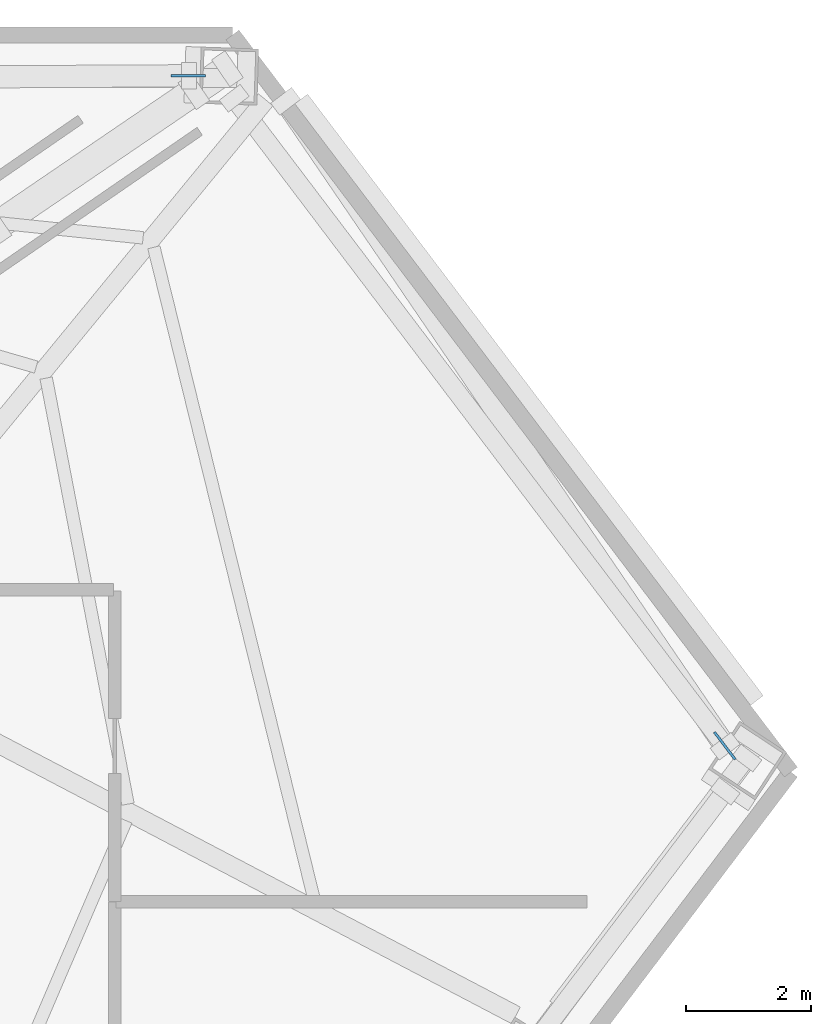
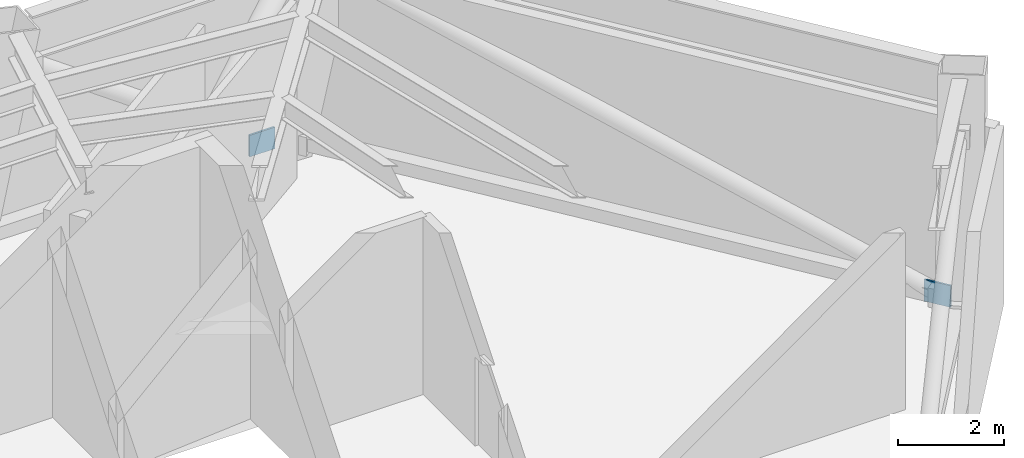
# One storey, part 4 of 9: 2 plates.
"""IFC4 building model written with IfcOpenShell, lengths in metres."""

from ifc_helpers import new_model, si_unit, direction, frame, origin, origin_2d, place, context, subcontext, project, spatial, rectangle, extrude, material, layer, layer_set, type_object, element, save


model = new_model("IFC4")

# Units and contexts
model_context = context("Model", 3, precision=1e-05, world=origin(), true_north=direction((0.0, 1.0)))
body_context = subcontext(model_context, "Body", "Model", "MODEL_VIEW")
ifc_project = project(units=[si_unit("LENGTHUNIT", "METRE"), si_unit("AREAUNIT", "SQUARE_METRE"), si_unit("VOLUMEUNIT", "CUBIC_METRE"), si_unit("PLANEANGLEUNIT", "RADIAN"), si_unit("MASSUNIT", "GRAM", prefix="KILO")], contexts=[model_context])

# Site, building, storey
site_placement = place(None, origin())
site = spatial("IfcSite", under=ifc_project, at=site_placement, CompositionType="ELEMENT")
building_placement = place(site_placement, origin())
building = spatial("IfcBuilding", under=site, at=building_placement, Name="Zarrinselat Tower", CompositionType="ELEMENT")
storey_placement = place(building_placement, frame((0.0, 0.0, 109.139892578125)))
storey = spatial("IfcBuildingStorey", under=building, at=storey_placement, Name="L26", CompositionType="ELEMENT", Elevation=109.139892578125)

# Plates
ifc_material = material(Name="Steel S460M", Category="steel")
ifc_layer = layer(ifc_material, 0.0400390625)
ifc_layer_set = layer_set([ifc_layer], Name="Steel S460M")
plate_type = type_object("IfcPlateType", Name="PLT-GUSSET-40", PredefinedType="USERDEFINED", material=ifc_layer_set)
for number, where, z_axis, x_axis, name in (
    (1, (52.578125, 48.730712890625, 0.10009765625), (0.0, 0.0, 1.0), (-1.0, 0.0, 0.0), "L26 Belt Truss Node Gusset Plate 1"),
    (2, (61.169921875, 37.999267578125, 0.10009765625), (0.0, 0.0, 1.0), (-0.603853698519, 0.797095170469, 0.0), "L26 Belt Truss Node Gusset Plate 15"),
):
    element("IfcPlate", number, at=place(storey_placement, frame(where, z_axis=z_axis, x_axis=x_axis)), inside=storey, type_object=plate_type, Name=name, ObjectType="GUSSET_PLATE", PredefinedType="USERDEFINED", context=body_context, shape_type="SweptSolid", body=[
        extrude(rectangle(XDim=0.550048828125, YDim=0.0400390625, at=origin_2d()), origin(), (0.0, 0.0, 1.0), 0.5),
    ])

save(model, "model.ifc")
